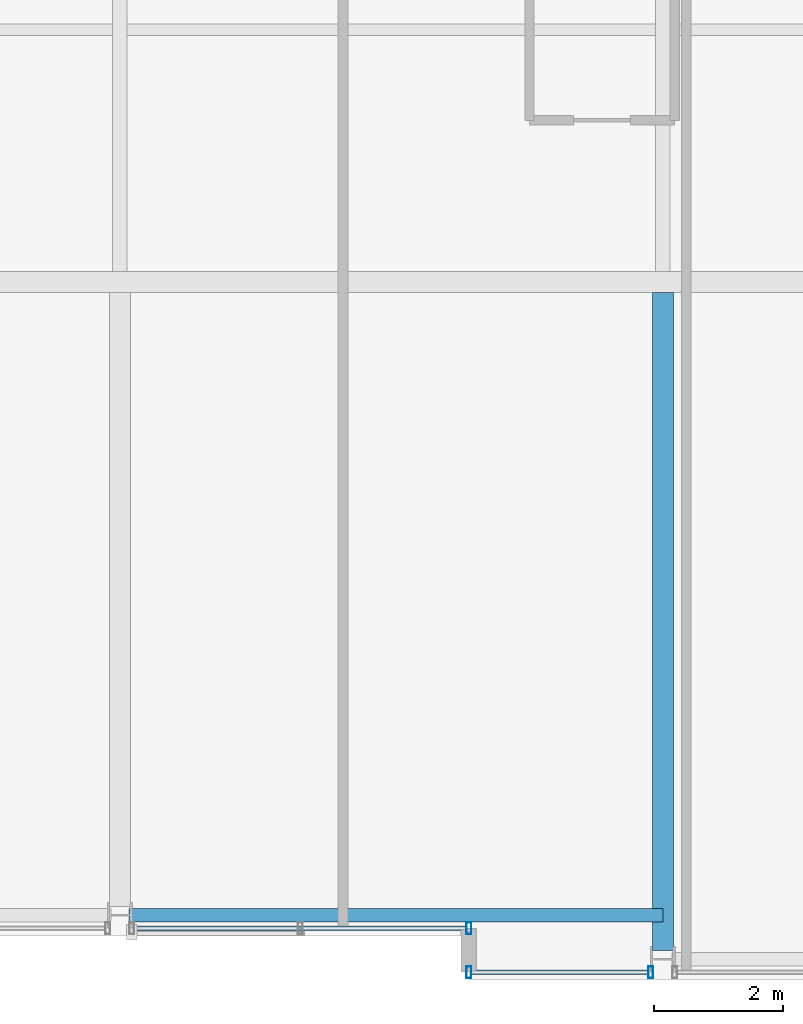
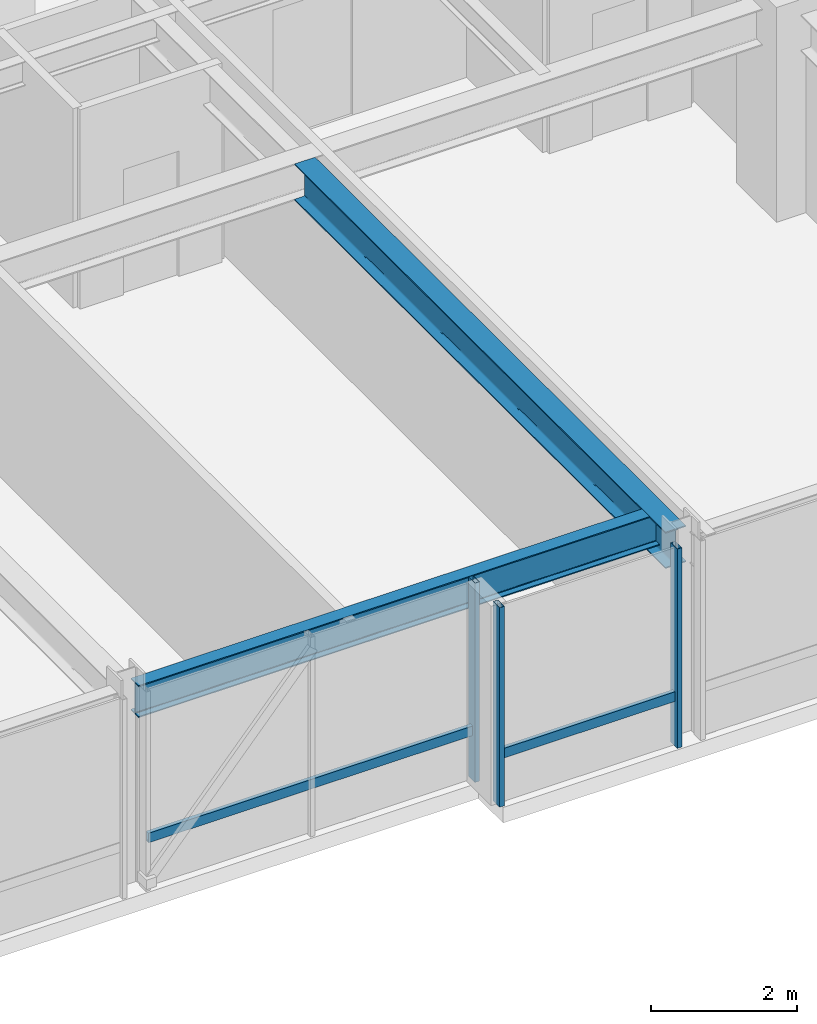
# One storey, part 6 of 32: 5 members, 2 beams, 2 elements without a shape of their own.
"""IFC4 building model written with IfcOpenShell, lengths in metres."""

from ifc_helpers import new_model, si_unit, direction, frame, origin, origin_2d, place, context, subcontext, project, spatial, hollow_rectangle, i_section, extrude, material, layer, layer_set, material_profile, profile_set, type_object, element, aggregate, save


model = new_model("IFC4")

# Units and contexts
model_context = context("Model", 3, precision=1e-05, world=origin(), true_north=direction((0.0, 1.0)))
body_context = subcontext(model_context, "Body", "Model", "MODEL_VIEW")
ifc_project = project(units=[si_unit("LENGTHUNIT", "METRE"), si_unit("AREAUNIT", "SQUARE_METRE"), si_unit("VOLUMEUNIT", "CUBIC_METRE"), si_unit("PLANEANGLEUNIT", "RADIAN"), si_unit("MASSUNIT", "GRAM", prefix="KILO")], contexts=[model_context])

# Site, building, storey
site_placement = place(None, origin())
site = spatial("IfcSite", under=ifc_project, at=site_placement, CompositionType="ELEMENT")
building_placement = place(site_placement, origin())
building = spatial("IfcBuilding", under=site, at=building_placement, Name="Drelvath Grand Hotel", CompositionType="ELEMENT")
storey_placement = place(building_placement, frame((0.0, 0.0, 226.699951171875)))
storey = spatial("IfcBuildingStorey", under=building, at=storey_placement, Name="L59", CompositionType="ELEMENT", Elevation=226.699951171875)

# Curtain wall, member
ifc_material_1 = material(Name="Platinum-Mist Anodised Aluminium Frame", Category="aluminium")
ifc_layer = layer(ifc_material_1, 0.199951171875)
ifc_layer_set = layer_set([ifc_layer], Name="Platinum-Mist Anodised Aluminium Frame")
curtain_wall_type = type_object("IfcCurtainWallType", Name="Stick Curtain Wall CW-05 Platinum Mist High-Rise", PredefinedType="NOTDEFINED", material=ifc_layer_set)
curtain_wall_1_placement = place(storey_placement, origin())
curtain_wall_1 = element("IfcCurtainWall", 1, at=curtain_wall_1_placement, inside=storey, type_object=curtain_wall_type, Name="L59 CW-05 Curtain Wall CW05-L59-SE1", PredefinedType="NOTDEFINED")
ifc_material_profile_1 = material_profile(ifc_material_1, hollow_rectangle(XDim=0.06494140625, YDim=0.159912109375, WallThickness=0.00390625, at=origin_2d()), Name="HSS160X65X4")
ifc_profile_set_1 = profile_set([ifc_material_profile_1], Name="Platinum-Mist Anodised Aluminium Frame")
member_type_1 = type_object("IfcMemberType", Name="Curtain Wall Horizontal Transom CW-05 HSS160X65X4", PredefinedType="USERDEFINED", material=ifc_profile_set_1)
member_1_placement = place(storey_placement, frame((8.1748046875, 0.1201171875, 0.8349609375), z_axis=(-1.0, 0.0, 0.0), x_axis=(0.0, -1.0, 0.0)))
member_1 = element("IfcMember", 2, at=member_1_placement, type_object=member_type_1, Name="CW05-L59-SE1 Sill Transom", ObjectType="TRANSOM", PredefinedType="USERDEFINED", context=body_context, shape_type="SweptSolid", body=[
    extrude(hollow_rectangle(XDim=0.06494140625, YDim=0.159912109375, WallThickness=0.00390625, at=origin_2d()), origin(), (0.0, 0.0, 1.0), 2.73486328125),
])

curtain_wall_2_placement = place(storey_placement, origin())
curtain_wall_2 = element("IfcCurtainWall", 3, at=curtain_wall_2_placement, inside=storey, type_object=curtain_wall_type, Name="L59 CW-05 Curtain Wall CW05-L59-SM2", PredefinedType="NOTDEFINED")
member_2_placement = place(storey_placement, frame((5.360107421875, 0.800048828125, 0.8349609375), z_axis=(-1.0, 0.0, 0.0), x_axis=(0.0, -1.0, 0.0)))
member_2 = element("IfcMember", 4, at=member_2_placement, type_object=member_type_1, Name="CW05-L59-SM2 Sill Transom", ObjectType="TRANSOM", PredefinedType="USERDEFINED", context=body_context, shape_type="SweptSolid", body=[
    extrude(hollow_rectangle(XDim=0.06494140625, YDim=0.159912109375, WallThickness=0.00390625, at=origin_2d()), origin(), (0.0, 0.0, 1.0), 5.134765625),
])

# Member
ifc_material_profile_2 = material_profile(ifc_material_1, hollow_rectangle(XDim=0.074951171875, YDim=0.179931640625, WallThickness=0.0048828125, at=origin_2d()), Name="HSS180X75X5")
ifc_profile_set_2 = profile_set([ifc_material_profile_2], Name="Platinum-Mist Anodised Aluminium Frame")
member_type_2 = type_object("IfcMemberType", Name="Curtain Wall Vertical Mullion CW-05 HSS180X75X5", PredefinedType="MULLION", material=ifc_profile_set_2)
member_3_placement = place(storey_placement, frame((8.214599609375, 0.1201171875, 0.0), z_axis=(0.0, 0.0, 1.0), x_axis=(1.0, 0.0, 0.0)))
member_3 = element("IfcMember", 5, at=member_3_placement, type_object=member_type_2, Name="CW05-L59-SE1 Mullion 1", PredefinedType="MULLION", context=body_context, shape_type="SweptSolid", body=[
    extrude(hollow_rectangle(XDim=0.074951171875, YDim=0.179931640625, WallThickness=0.0048828125, at=origin_2d()), origin(), (0.0, 0.0, 1.0), 3.340087890625),
])

member_4_placement = place(storey_placement, frame((5.39990234375, 0.1201171875, 0.0), z_axis=(0.0, 0.0, 1.0), x_axis=(1.0, 0.0, 0.0)))
member_4 = element("IfcMember", 6, at=member_4_placement, type_object=member_type_2, Name="CW05-L59-SE1 Mullion 2", PredefinedType="MULLION", context=body_context, shape_type="SweptSolid", body=[
    extrude(hollow_rectangle(XDim=0.074951171875, YDim=0.179931640625, WallThickness=0.0048828125, at=origin_2d()), origin(), (0.0, 0.0, 1.0), 3.340087890625),
])

aggregate(curtain_wall_1, [member_3, member_4, member_1])

member_5_placement = place(storey_placement, frame((5.39990234375, 0.800048828125, 0.0), z_axis=(0.0, 0.0, 1.0), x_axis=(1.0, 0.0, 0.0)))
member_5 = element("IfcMember", 7, at=member_5_placement, type_object=member_type_2, Name="CW05-L59-SM2 Mullion 1", PredefinedType="MULLION", context=body_context, shape_type="SweptSolid", body=[
    extrude(hollow_rectangle(XDim=0.074951171875, YDim=0.179931640625, WallThickness=0.0048828125, at=origin_2d()), origin(), (0.0, 0.0, 1.0), 3.340087890625),
])

aggregate(curtain_wall_2, [member_5, member_2])

# Beams
ifc_material_2 = material(Name="Steel ASTM A992 Gr 50", Category="steel")
ifc_material_profile_3 = material_profile(ifc_material_2, i_section(OverallWidth=0.210205078125, OverallDepth=0.53662109375, WebThickness=0.010986328125, FlangeThickness=0.017333984375, FilletRadius=0.01806640625, at=origin_2d()), Name="W21X68")
ifc_profile_set_3 = profile_set([ifc_material_profile_3], Name="Steel ASTM A992 Gr 50")
beam_type_1 = type_object("IfcBeamType", Name="Perimeter Spandrel Beam W21X68", PredefinedType="SPANDREL", material=ifc_profile_set_3)
beam_1_placement = place(storey_placement, frame((0.139892578125, 1.0, 3.071533203125), z_axis=(1.0, 0.0, 0.0), x_axis=(0.0, 1.0, 0.0)))
element("IfcBeam", 8, at=beam_1_placement, inside=storey, type_object=beam_type_1, Name="L59 Spandrel South Mid E", PredefinedType="SPANDREL", context=body_context, shape_type="SweptSolid", body=[
    extrude(i_section(OverallWidth=0.210205078125, OverallDepth=0.53662109375, WebThickness=0.010986328125, FlangeThickness=0.017333984375, FilletRadius=0.01806640625, at=origin_2d()), origin(), (0.0, 0.0, 1.0), 8.260009765625),
])
ifc_material_profile_4 = material_profile(ifc_material_2, i_section(OverallWidth=0.323974609375, OverallDepth=0.611083984375, WebThickness=0.0126953125, FlangeThickness=0.01904296875, FilletRadius=0.02197265625, at=origin_2d()), Name="W24X104")
ifc_profile_set_4 = profile_set([ifc_material_profile_4], Name="Steel ASTM A992 Gr 50")
beam_type_2 = type_object("IfcBeamType", Name="Primary Floor Girder W24X104", PredefinedType="BEAM", material=ifc_profile_set_4)
beam_2_placement = place(storey_placement, frame((8.39990234375, 0.4599609375, 3.034423828125), z_axis=(0.0, 1.0, 0.0), x_axis=(-1.0, 0.0, 0.0)))
element("IfcBeam", 9, at=beam_2_placement, inside=storey, type_object=beam_type_2, Name="L59 South Wing Girder 6", PredefinedType="BEAM", context=body_context, shape_type="SweptSolid", body=[
    extrude(i_section(OverallWidth=0.323974609375, OverallDepth=0.611083984375, WebThickness=0.0126953125, FlangeThickness=0.01904296875, FilletRadius=0.02197265625, at=origin_2d()), origin(), (0.0, 0.0, 1.0), 10.177978515625),
])

save(model, "model.ifc")
